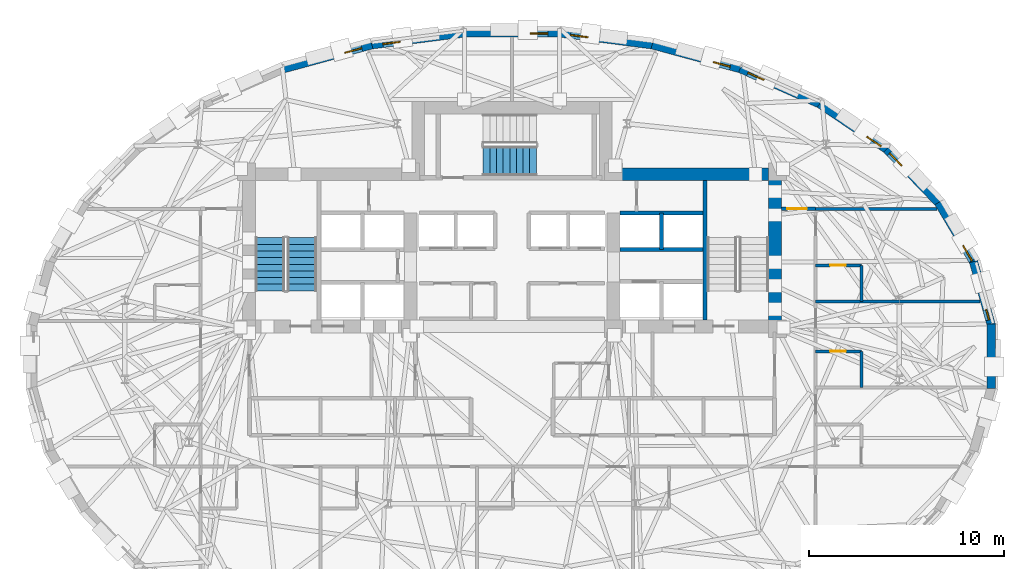
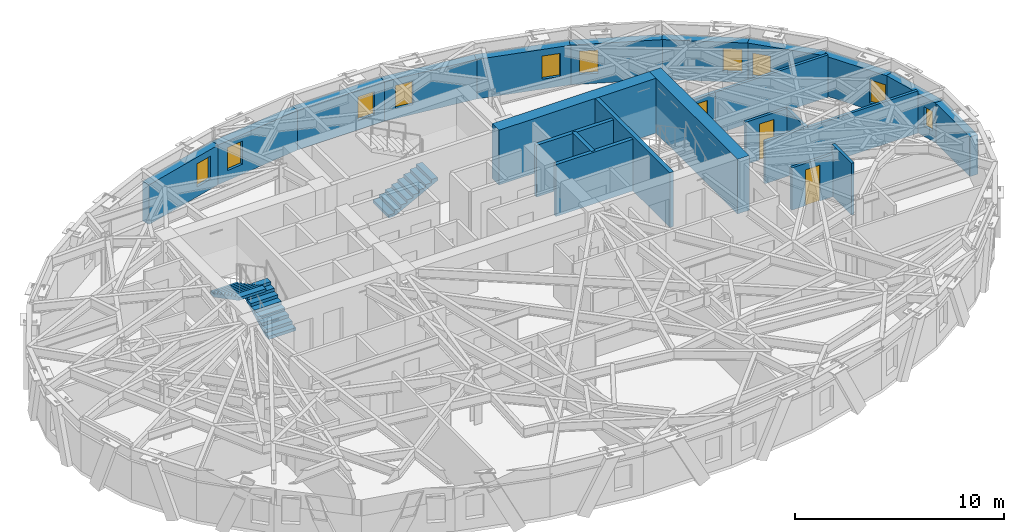
# One storey, part 10 of 15: 24 walls, 10 windows, 3 doors, 3 stair flights, 13 openings, 2 elements without a shape of their own.
"""IFC4 building model written with IfcOpenShell, lengths in metres."""

from ifc_helpers import new_model, si_unit, direction, frame, frame_2d, origin, place, context, subcontext, project, spatial, polyline, rectangle, outline, extrude, material, layer, layer_set, type_object, element, fill, aggregate, save


model = new_model("IFC4")

# Units and contexts
model_context = context("Model", 3, precision=1e-05, world=origin(), true_north=direction((0.0, 1.0)))
body_context = subcontext(model_context, "Body", "Model", "MODEL_VIEW")
ifc_project = project(units=[si_unit("LENGTHUNIT", "METRE"), si_unit("AREAUNIT", "SQUARE_METRE"), si_unit("VOLUMEUNIT", "CUBIC_METRE"), si_unit("PLANEANGLEUNIT", "RADIAN"), si_unit("MASSUNIT", "GRAM", prefix="KILO")], contexts=[model_context])

# Site, building, storey
site_placement = place(None, origin())
site = spatial("IfcSite", under=ifc_project, at=site_placement, CompositionType="ELEMENT")
building_placement = place(site_placement, origin())
building = spatial("IfcBuilding", under=site, at=building_placement, Name="Keldmark Tower", CompositionType="ELEMENT")
storey_placement = place(building_placement, frame((0.0, 0.0, 159.800048828125)))
storey = spatial("IfcBuildingStorey", under=building, at=storey_placement, Name="L43", CompositionType="ELEMENT", Elevation=159.800048828125)

# Wall, opening, door
ifc_material_1 = material(Name="Type X Fire-Rated Gypsum Partition Assembly", Category="gypsum")
ifc_layer_1 = layer(ifc_material_1, 0.1650390625)
ifc_layer_set_1 = layer_set([ifc_layer_1], Name="Type X Fire-Rated Gypsum Partition Assembly")
wall_type_1 = type_object("IfcWallType", Name="Rated Partition 165 mm", PredefinedType="PARTITIONING", material=ifc_layer_set_1)
wall_1_placement = place(storey_placement, frame((13.800048828125, 7.550048828125, 0.0), z_axis=(0.0, 0.0, 1.0), x_axis=(1.0, 0.0, 0.0)))
wall_1 = element("IfcWall", 1, at=wall_1_placement, inside=storey, type_object=wall_type_1, Name="L43 Rated Partition 165 mm HCOR-EN", PredefinedType="PARTITIONING", context=body_context, shape_type="SweptSolid", body=[
    extrude(rectangle(XDim=1.75, YDim=0.1650390625, at=frame_2d((0.875, 0.0))), origin(), (0.0, 0.0, 1.0), 2.472900390625),
])
opening_1_placement = place(wall_1_placement, frame((0.300048828125, 0.0, 0.0)))
opening_1 = element("IfcOpeningElement", 2, at=opening_1_placement, cuts=wall_1, Name="Opening D-FD100", PredefinedType="OPENING", context=body_context, shape_type="SweptSolid", body=[
    extrude(rectangle(XDim=1.0, YDim=2.14990234375, at=frame_2d((0.5, 1.074951171875))), frame((0.0, 0.092529296875, 0.0), z_axis=(0.0, -1.0, 0.0), x_axis=(1.0, 0.0, 0.0)), (0.0, 0.0, 1.0), 0.18505859375),
])
ifc_material_2 = material(Name="Hollow Metal Fire-Rated Corridor Door", Category="metal")
door_type_1 = type_object("IfcDoorType", Name="Fire Door 1000x2150", OperationType="NOTDEFINED", PredefinedType="DOOR", material=ifc_material_2)
door_1_placement = place(opening_1_placement, origin())
door_1 = element("IfcDoor", 3, at=door_1_placement, inside=storey, type_object=door_type_1, Name="L43 Fire Door 1000x2150 D-HNNE-L43", OperationType="SINGLE_SWING_RIGHT", OverallHeight=2.14990234375, OverallWidth=1.0, PredefinedType="DOOR", context=body_context, shape_type="SweptSolid", body=[
    extrude(rectangle(XDim=1.0, YDim=2.14990234375, at=frame_2d((0.5, 1.074951171875))), frame((0.0, 0.02490234375, 0.0), z_axis=(0.0, -1.0, 0.0), x_axis=(1.0, 0.0, 0.0)), (0.0, 0.0, 1.0), 0.050048828125),
])
fill(opening_1, door_1)

# Walls
ifc_material_3 = material(Name="Fire-Resistant Type X Gypsum Shaftliner Coreboard", Category="gypsum")
ifc_layer_2 = layer(ifc_material_3, 0.199951171875)
ifc_layer_set_2 = layer_set([ifc_layer_2], Name="Fire-Resistant Type X Gypsum Shaftliner Coreboard")
wall_type_2 = type_object("IfcWallType", Name="Shaft Wall 200 mm", PredefinedType="SOLIDWALL", material=ifc_layer_set_2)
for number, where, z_axis, x_axis, name in (
    (4, (5.52490234375, 5.469970703125, 0.0), (0.0, 0.0, 1.0), (1.0, 0.0, 0.0), "L43 Shaft Wall 200 mm HW-E-N"),
    (5, (5.52490234375, 7.330078125, 0.0), (0.0, 0.0, 1.0), (1.0, 0.0, 0.0), "L43 Shaft Wall 200 mm HW-E-TOP"),
):
    element("IfcWall", number, at=place(storey_placement, frame(where, z_axis=z_axis, x_axis=x_axis)), inside=storey, type_object=wall_type_2, Name=name, PredefinedType="SOLIDWALL", context=body_context, shape_type="SweptSolid", body=[
        extrude(rectangle(XDim=4.255126953125, YDim=0.199951171875, at=frame_2d((2.12744140625, 0.0))), origin(), (0.0, 0.0, 1.0), 3.02001953125),
    ])
wall_2_placement = place(storey_placement, frame((7.64990234375, 5.469970703125, 0.0), z_axis=(0.0, 0.0, 1.0), x_axis=(0.0, 1.0, 0.0)))
element("IfcWall", 6, at=wall_2_placement, inside=storey, type_object=wall_type_2, Name="L43 Shaft Wall 200 mm HW-E-NM", PredefinedType="SOLIDWALL", context=body_context, shape_type="SweptSolid", body=[
    extrude(rectangle(XDim=1.860107421875, YDim=0.199951171875, at=frame_2d((0.93017578125, 0.0))), origin(), (0.0, 0.0, 1.0), 3.02001953125),
])
ifc_material_4 = material(Name="Concrete C50/60", Category="concrete")
ifc_layer_3 = layer(ifc_material_4, 0.219970703125)
ifc_layer_set_3 = layer_set([ifc_layer_3], Name="Concrete C50/60")
wall_type_3 = type_object("IfcWallType", Name="Stair Core Shear Wall 220 mm", PredefinedType="SHEAR", material=ifc_layer_set_3)
wall_3_placement = place(storey_placement, frame((9.889892578125, 1.85009765625, 0.0), z_axis=(0.0, 0.0, 1.0), x_axis=(0.0, 1.0, 0.0)))
element("IfcWall", 7, at=wall_3_placement, inside=storey, type_object=wall_type_3, Name="L43 East Stair Core Shear Wall", PredefinedType="SHEAR", context=body_context, shape_type="SweptSolid", body=[
    extrude(rectangle(XDim=7.14990234375, YDim=0.219970703125, at=frame_2d((3.574951171875, 0.0))), origin(), (0.0, 0.0, 1.0), 3.199951171875),
])

# Wall, opening, window
ifc_material_5 = material(Name="Ironspot Manganese Brick and Kasota Buff Limestone Spandrel Assembly", Category="masonry")
ifc_layer_4 = layer(ifc_material_5, 0.43994140625)
ifc_layer_set_4 = layer_set([ifc_layer_4], Name="Ironspot Manganese Brick and Kasota Buff Limestone Spandrel Assembly")
wall_type_4 = type_object("IfcWallType", Name="Tower Brick Pier and Spandrel Wall 440 mm", PredefinedType="STANDARD", material=ifc_layer_set_4)
wall_4_placement = place(storey_placement, frame((23.64501953125, 4.846435546875, 0.0), z_axis=(0.0, 0.0, 1.0), x_axis=(0.269235699479, -0.963074315993, 0.0)))
wall_4 = element("IfcWall", 8, at=wall_4_placement, inside=storey, type_object=wall_type_4, Name="L43 Exterior Brick and Spandrel Wall 01", PredefinedType="STANDARD", context=body_context, shape_type="SweptSolid", body=[
    extrude(rectangle(XDim=3.376953125, YDim=0.43994140625, at=frame_2d((1.6884765625, 0.0))), origin(), (0.0, 0.0, 1.0), 2.31494140625),
])
opening_2_placement = place(wall_4_placement, frame((2.527587890625, 0.0, 0.580078125)))
opening_2 = element("IfcOpeningElement", 9, at=opening_2_placement, cuts=wall_4, Name="Opening W-10", PredefinedType="OPENING", context=body_context, shape_type="SweptSolid", body=[
    extrude(rectangle(XDim=0.56005859375, YDim=1.14990234375, at=frame_2d((0.280029296875, 0.574951171875))), frame((0.0, 0.22998046875, 0.0), z_axis=(0.0, -1.0, 0.0), x_axis=(1.0, 0.0, 0.0)), (0.0, 0.0, 1.0), 0.4599609375),
])
ifc_material_6 = material(Name="Thermally Broken Anodized Aluminum and Triple Low-E Argon Glazing", Category="aluminium")
window_type_1 = type_object("IfcWindowType", Name="Narrow Pier Lancet Window 560x1150", PartitioningType="SINGLE_PANEL", PredefinedType="WINDOW", material=ifc_material_6)
window_1_placement = place(opening_2_placement, origin())
window_1 = element("IfcWindow", 10, at=window_1_placement, inside=storey, type_object=window_type_1, Name="L43 Pier Window RM04", OverallHeight=1.14990234375, OverallWidth=0.56005859375, PartitioningType="SINGLE_PANEL", PredefinedType="WINDOW", context=body_context, shape_type="SweptSolid", body=[
    extrude(rectangle(XDim=0.56005859375, YDim=1.14990234375, at=frame_2d((0.280029296875, 0.574951171875))), frame((0.0, -0.010009765625, 0.0), z_axis=(0.0, -1.0, 0.0), x_axis=(1.0, 0.0, 0.0)), (0.0, 0.0, 1.0), 0.06005859375),
])
fill(opening_2, window_1)

wall_5_placement = place(storey_placement, frame((21.847412109375, 7.87255859375, 0.0), z_axis=(0.0, 0.0, 1.0), x_axis=(0.508883387051, -0.860835465338, 0.0)))
wall_5 = element("IfcWall", 11, at=wall_5_placement, inside=storey, type_object=wall_type_4, Name="L43 Exterior Brick and Spandrel Wall 02", PredefinedType="STANDARD", context=body_context, shape_type="SweptSolid", body=[
    extrude(rectangle(XDim=3.57666015625, YDim=0.43994140625, at=frame_2d((1.788330078125, 0.0))), origin(), (0.0, 0.0, 1.0), 2.31494140625),
])
opening_3_placement = place(wall_5_placement, frame((2.53662109375, 0.0, 0.419921875)))
opening_3 = element("IfcOpeningElement", 12, at=opening_3_placement, cuts=wall_5, Name="Opening W-09", PredefinedType="OPENING", context=body_context, shape_type="SweptSolid", body=[
    extrude(rectangle(XDim=0.89990234375, YDim=1.35009765625, at=frame_2d((0.449951171875, 0.675048828125))), frame((0.0, 0.22998046875, 0.0), z_axis=(0.0, -1.0, 0.0), x_axis=(1.0, 0.0, 0.0)), (0.0, 0.0, 1.0), 0.4599609375),
])
ifc_material_7 = material(Name="Thermally Broken Anodized Aluminum and Triple Low-E Argon Glazing", Category="aluminium")
window_type_2 = type_object("IfcWindowType", Name="Corner Pier Deep-Set Window 900x1350", PartitioningType="SINGLE_PANEL", PredefinedType="WINDOW", material=ifc_material_7)
window_2_placement = place(opening_3_placement, origin())
window_2 = element("IfcWindow", 13, at=window_2_placement, inside=storey, type_object=window_type_2, Name="L43 Pier Window RM05", OverallHeight=1.35009765625, OverallWidth=0.89990234375, PartitioningType="SINGLE_PANEL", PredefinedType="WINDOW", context=body_context, shape_type="SweptSolid", body=[
    extrude(rectangle(XDim=0.89990234375, YDim=1.35009765625, at=frame_2d((0.449951171875, 0.675048828125))), frame((0.0, -0.010009765625, 0.0), z_axis=(0.0, -1.0, 0.0), x_axis=(1.0, 0.0, 0.0)), (0.0, 0.0, 1.0), 0.06005859375),
])
fill(opening_3, window_2)

wall_6_placement = place(storey_placement, frame((19.191650390625, 10.61181640625, 0.0), z_axis=(0.0, 0.0, 1.0), x_axis=(0.694975307772, -0.719033602544, 0.0)))
wall_6 = element("IfcWall", 14, at=wall_6_placement, inside=storey, type_object=wall_type_4, Name="L43 Exterior Brick and Spandrel Wall 03", PredefinedType="STANDARD", context=body_context, shape_type="SweptSolid", body=[
    extrude(rectangle(XDim=3.866455078125, YDim=0.43994140625, at=frame_2d((1.93310546875, 0.0))), origin(), (0.0, 0.0, 1.0), 2.31494140625),
])
opening_4_placement = place(wall_6_placement, frame((0.24951171875, 0.0, 0.419921875)))
opening_4 = element("IfcOpeningElement", 15, at=opening_4_placement, cuts=wall_6, Name="Opening W-09", PredefinedType="OPENING", context=body_context, shape_type="SweptSolid", body=[
    extrude(rectangle(XDim=0.89990234375, YDim=1.35009765625, at=frame_2d((0.449951171875, 0.675048828125))), frame((0.0, 0.22998046875, 0.0), z_axis=(0.0, -1.0, 0.0), x_axis=(1.0, 0.0, 0.0)), (0.0, 0.0, 1.0), 0.4599609375),
])
window_3_placement = place(opening_4_placement, origin())
window_3 = element("IfcWindow", 16, at=window_3_placement, inside=storey, type_object=window_type_2, Name="L43 Deep-Set Window 03", OverallHeight=1.35009765625, OverallWidth=0.89990234375, PartitioningType="SINGLE_PANEL", PredefinedType="WINDOW", context=body_context, shape_type="SweptSolid", body=[
    extrude(rectangle(XDim=0.89990234375, YDim=1.35009765625, at=frame_2d((0.449951171875, 0.675048828125))), frame((0.0, -0.010009765625, 0.0), z_axis=(0.0, -1.0, 0.0), x_axis=(1.0, 0.0, 0.0)), (0.0, 0.0, 1.0), 0.06005859375),
])
fill(opening_4, window_3)

wall_7_placement = place(storey_placement, frame((15.756591796875, 12.9345703125, 0.0), z_axis=(0.0, 0.0, 1.0), x_axis=(0.827760762475, -0.561081206338, 0.0)))
wall_7 = element("IfcWall", 17, at=wall_7_placement, inside=storey, type_object=wall_type_4, Name="L43 Exterior Brick and Spandrel Wall 04", PredefinedType="STANDARD", context=body_context, shape_type="SweptSolid", body=[
    extrude(rectangle(XDim=4.19189453125, YDim=0.43994140625, at=frame_2d((2.095947265625, 0.0))), origin(), (0.0, 0.0, 1.0), 2.31494140625),
])
opening_5_placement = place(wall_7_placement, frame((2.9423828125, 0.0, 0.580078125)))
opening_5 = element("IfcOpeningElement", 18, at=opening_5_placement, cuts=wall_7, Name="Opening W-09", PredefinedType="OPENING", context=body_context, shape_type="SweptSolid", body=[
    extrude(rectangle(XDim=0.89990234375, YDim=1.35009765625, at=frame_2d((0.449951171875, 0.675048828125))), frame((0.0, 0.22998046875, 0.0), z_axis=(0.0, -1.0, 0.0), x_axis=(1.0, 0.0, 0.0)), (0.0, 0.0, 1.0), 0.4599609375),
])
window_4_placement = place(opening_5_placement, origin())
window_4 = element("IfcWindow", 19, at=window_4_placement, inside=storey, type_object=window_type_2, Name="L43 Deep-Set Window 04", OverallHeight=1.35009765625, OverallWidth=0.89990234375, PartitioningType="SINGLE_PANEL", PredefinedType="WINDOW", context=body_context, shape_type="SweptSolid", body=[
    extrude(rectangle(XDim=0.89990234375, YDim=1.35009765625, at=frame_2d((0.449951171875, 0.675048828125))), frame((0.0, -0.010009765625, 0.0), z_axis=(0.0, -1.0, 0.0), x_axis=(1.0, 0.0, 0.0)), (0.0, 0.0, 1.0), 0.06005859375),
])
fill(opening_5, window_4)

wall_8_placement = place(storey_placement, frame((11.689697265625, 14.737060546875, 0.0), z_axis=(0.0, 0.0, 1.0), x_axis=(0.913907994914, -0.405921392431, 0.0)))
wall_8 = element("IfcWall", 20, at=wall_8_placement, inside=storey, type_object=wall_type_4, Name="L43 Exterior Brick and Spandrel Wall 05", PredefinedType="STANDARD", context=body_context, shape_type="SweptSolid", body=[
    extrude(rectangle(XDim=4.4873046875, YDim=0.43994140625, at=frame_2d((2.24365234375, 0.0))), origin(), (0.0, 0.0, 1.0), 2.31494140625),
])
opening_6_placement = place(wall_8_placement, frame((0.448974609375, 0.0, 0.580078125)))
opening_6 = element("IfcOpeningElement", 21, at=opening_6_placement, cuts=wall_8, Name="Opening W-09", PredefinedType="OPENING", context=body_context, shape_type="SweptSolid", body=[
    extrude(rectangle(XDim=0.89990234375, YDim=1.35009765625, at=frame_2d((0.449951171875, 0.675048828125))), frame((0.0, 0.22998046875, 0.0), z_axis=(0.0, -1.0, 0.0), x_axis=(1.0, 0.0, 0.0)), (0.0, 0.0, 1.0), 0.4599609375),
])
window_5_placement = place(opening_6_placement, origin())
window_5 = element("IfcWindow", 22, at=window_5_placement, inside=storey, type_object=window_type_2, Name="L43 Deep-Set Window 05", OverallHeight=1.35009765625, OverallWidth=0.89990234375, PartitioningType="SINGLE_PANEL", PredefinedType="WINDOW", context=body_context, shape_type="SweptSolid", body=[
    extrude(rectangle(XDim=0.89990234375, YDim=1.35009765625, at=frame_2d((0.449951171875, 0.675048828125))), frame((0.0, -0.010009765625, 0.0), z_axis=(0.0, -1.0, 0.0), x_axis=(1.0, 0.0, 0.0)), (0.0, 0.0, 1.0), 0.06005859375),
])
fill(opening_6, window_5)

wall_9_placement = place(storey_placement, frame((7.17919921875, 15.95947265625, 0.0), z_axis=(0.0, 0.0, 1.0), x_axis=(0.965037424263, -0.262112132058, 0.0)))
wall_9 = element("IfcWall", 23, at=wall_9_placement, inside=storey, type_object=wall_type_4, Name="L43 Exterior Brick and Spandrel Wall 06", PredefinedType="STANDARD", context=body_context, shape_type="SweptSolid", body=[
    extrude(rectangle(XDim=4.70654296875, YDim=0.43994140625, at=frame_2d((2.353271484375, 0.0))), origin(), (0.0, 0.0, 1.0), 2.31494140625),
])
opening_7_placement = place(wall_9_placement, frame((3.260986328125, 0.0, 0.580078125)))
opening_7 = element("IfcOpeningElement", 24, at=opening_7_placement, cuts=wall_9, Name="Opening W-09", PredefinedType="OPENING", context=body_context, shape_type="SweptSolid", body=[
    extrude(rectangle(XDim=0.89990234375, YDim=1.35009765625, at=frame_2d((0.449951171875, 0.675048828125))), frame((0.0, 0.22998046875, 0.0), z_axis=(0.0, -1.0, 0.0), x_axis=(1.0, 0.0, 0.0)), (0.0, 0.0, 1.0), 0.4599609375),
])
window_6_placement = place(opening_7_placement, origin())
window_6 = element("IfcWindow", 25, at=window_6_placement, inside=storey, type_object=window_type_2, Name="L43 Deep-Set Window 06", OverallHeight=1.35009765625, OverallWidth=0.89990234375, PartitioningType="SINGLE_PANEL", PredefinedType="WINDOW", context=body_context, shape_type="SweptSolid", body=[
    extrude(rectangle(XDim=0.89990234375, YDim=1.35009765625, at=frame_2d((0.449951171875, 0.675048828125))), frame((0.0, -0.010009765625, 0.0), z_axis=(0.0, -1.0, 0.0), x_axis=(1.0, 0.0, 0.0)), (0.0, 0.0, 1.0), 0.06005859375),
])
fill(opening_7, window_6)

wall_10_placement = place(storey_placement, frame((2.4111328125, 16.56982421875, 0.0), z_axis=(0.0, 0.0, 1.0), x_axis=(0.991852910824, -0.127388395426, 0.0)))
wall_10 = element("IfcWall", 26, at=wall_10_placement, inside=storey, type_object=wall_type_4, Name="L43 Exterior Brick and Spandrel Wall 07", PredefinedType="STANDARD", context=body_context, shape_type="SweptSolid", body=[
    extrude(rectangle(XDim=4.837158203125, YDim=0.43994140625, at=frame_2d((2.41845703125, 0.0))), origin(), (0.0, 0.0, 1.0), 2.31494140625),
])
opening_8_placement = place(wall_10_placement, frame((0.598388671875, 0.0, 0.580078125)))
opening_8 = element("IfcOpeningElement", 27, at=opening_8_placement, cuts=wall_10, Name="Opening W-09", PredefinedType="OPENING", context=body_context, shape_type="SweptSolid", body=[
    extrude(rectangle(XDim=0.89990234375, YDim=1.35009765625, at=frame_2d((0.449951171875, 0.675048828125))), frame((0.0, 0.22998046875, 0.0), z_axis=(0.0, -1.0, 0.0), x_axis=(1.0, 0.0, 0.0)), (0.0, 0.0, 1.0), 0.4599609375),
])
window_7_placement = place(opening_8_placement, origin())
window_7 = element("IfcWindow", 28, at=window_7_placement, inside=storey, type_object=window_type_2, Name="L43 Deep-Set Window 07", OverallHeight=1.35009765625, OverallWidth=0.89990234375, PartitioningType="SINGLE_PANEL", PredefinedType="WINDOW", context=body_context, shape_type="SweptSolid", body=[
    extrude(rectangle(XDim=0.89990234375, YDim=1.35009765625, at=frame_2d((0.449951171875, 0.675048828125))), frame((0.0, -0.010009765625, 0.0), z_axis=(0.0, -1.0, 0.0), x_axis=(1.0, 0.0, 0.0)), (0.0, 0.0, 1.0), 0.06005859375),
])
fill(opening_8, window_7)

wall_11_placement = place(storey_placement, frame((-2.439208984375, 16.568115234375, 0.0), z_axis=(0.0, 0.0, 1.0), x_axis=(1.0, 0.0, 0.0)))
wall_11 = element("IfcWall", 29, at=wall_11_placement, inside=storey, type_object=wall_type_4, Name="L43 Exterior Brick and Spandrel Wall 08", PredefinedType="STANDARD", context=body_context, shape_type="SweptSolid", body=[
    extrude(rectangle(XDim=4.87841796875, YDim=0.43994140625, at=frame_2d((2.439208984375, 0.0))), origin(), (0.0, 0.0, 1.0), 2.31494140625),
])
opening_9_placement = place(wall_11_placement, frame((3.380859375, 0.0, 0.580078125)))
opening_9 = element("IfcOpeningElement", 30, at=opening_9_placement, cuts=wall_11, Name="Opening W-09", PredefinedType="OPENING", context=body_context, shape_type="SweptSolid", body=[
    extrude(rectangle(XDim=0.89990234375, YDim=1.35009765625, at=frame_2d((0.449951171875, 0.675048828125))), frame((0.0, 0.22998046875, 0.0), z_axis=(0.0, -1.0, 0.0), x_axis=(1.0, 0.0, 0.0)), (0.0, 0.0, 1.0), 0.4599609375),
])
window_8_placement = place(opening_9_placement, origin())
window_8 = element("IfcWindow", 31, at=window_8_placement, inside=storey, type_object=window_type_2, Name="L43 Deep-Set Window 08", OverallHeight=1.35009765625, OverallWidth=0.89990234375, PartitioningType="SINGLE_PANEL", PredefinedType="WINDOW", context=body_context, shape_type="SweptSolid", body=[
    extrude(rectangle(XDim=0.89990234375, YDim=1.35009765625, at=frame_2d((0.449951171875, 0.675048828125))), frame((0.0, -0.010009765625, 0.0), z_axis=(0.0, -1.0, 0.0), x_axis=(1.0, 0.0, 0.0)), (0.0, 0.0, 1.0), 0.06005859375),
])
fill(opening_9, window_8)

wall_12_placement = place(storey_placement, frame((-7.208984375, 15.95361328125, 0.0), z_axis=(0.0, 0.0, 1.0), x_axis=(0.991852910824, 0.127388395426, 0.0)))
wall_12 = element("IfcWall", 32, at=wall_12_placement, inside=storey, type_object=wall_type_4, Name="L43 Exterior Brick and Spandrel Wall 09", PredefinedType="STANDARD", context=body_context, shape_type="SweptSolid", body=[
    extrude(rectangle(XDim=4.837158203125, YDim=0.43994140625, at=frame_2d((2.41845703125, 0.0))), origin(), (0.0, 0.0, 1.0), 2.31494140625),
])
opening_10_placement = place(wall_12_placement, frame((0.598388671875, 0.0, 0.580078125)))
opening_10 = element("IfcOpeningElement", 33, at=opening_10_placement, cuts=wall_12, Name="Opening W-09", PredefinedType="OPENING", context=body_context, shape_type="SweptSolid", body=[
    extrude(rectangle(XDim=0.89990234375, YDim=1.35009765625, at=frame_2d((0.449951171875, 0.675048828125))), frame((0.0, 0.22998046875, 0.0), z_axis=(0.0, -1.0, 0.0), x_axis=(1.0, 0.0, 0.0)), (0.0, 0.0, 1.0), 0.4599609375),
])
window_9_placement = place(opening_10_placement, origin())
window_9 = element("IfcWindow", 34, at=window_9_placement, inside=storey, type_object=window_type_2, Name="L43 Deep-Set Window 09", OverallHeight=1.35009765625, OverallWidth=0.89990234375, PartitioningType="SINGLE_PANEL", PredefinedType="WINDOW", context=body_context, shape_type="SweptSolid", body=[
    extrude(rectangle(XDim=0.89990234375, YDim=1.35009765625, at=frame_2d((0.449951171875, 0.675048828125))), frame((0.0, -0.010009765625, 0.0), z_axis=(0.0, -1.0, 0.0), x_axis=(1.0, 0.0, 0.0)), (0.0, 0.0, 1.0), 0.06005859375),
])
fill(opening_10, window_9)

wall_13_placement = place(storey_placement, frame((-11.72119140625, 14.725830078125, 0.0), z_axis=(0.0, 0.0, 1.0), x_axis=(0.965037424263, 0.262112132058, 0.0)))
wall_13 = element("IfcWall", 35, at=wall_13_placement, inside=storey, type_object=wall_type_4, Name="L43 Exterior Brick and Spandrel Wall 10", PredefinedType="STANDARD", context=body_context, shape_type="SweptSolid", body=[
    extrude(rectangle(XDim=4.70654296875, YDim=0.43994140625, at=frame_2d((2.353271484375, 0.0))), origin(), (0.0, 0.0, 1.0), 2.31494140625),
])
opening_11_placement = place(wall_13_placement, frame((3.260986328125, 0.0, 0.580078125)))
opening_11 = element("IfcOpeningElement", 36, at=opening_11_placement, cuts=wall_13, Name="Opening W-09", PredefinedType="OPENING", context=body_context, shape_type="SweptSolid", body=[
    extrude(rectangle(XDim=0.89990234375, YDim=1.35009765625, at=frame_2d((0.449951171875, 0.675048828125))), frame((0.0, 0.22998046875, 0.0), z_axis=(0.0, -1.0, 0.0), x_axis=(1.0, 0.0, 0.0)), (0.0, 0.0, 1.0), 0.4599609375),
])
window_10_placement = place(opening_11_placement, origin())
window_10 = element("IfcWindow", 37, at=window_10_placement, inside=storey, type_object=window_type_2, Name="L43 Deep-Set Window 10", OverallHeight=1.35009765625, OverallWidth=0.89990234375, PartitioningType="SINGLE_PANEL", PredefinedType="WINDOW", context=body_context, shape_type="SweptSolid", body=[
    extrude(rectangle(XDim=0.89990234375, YDim=1.35009765625, at=frame_2d((0.449951171875, 0.675048828125))), frame((0.0, -0.010009765625, 0.0), z_axis=(0.0, -1.0, 0.0), x_axis=(1.0, 0.0, 0.0)), (0.0, 0.0, 1.0), 0.06005859375),
])
fill(opening_11, window_10)

# Walls
wall_14_placement = place(storey_placement, frame((24.5458984375, 1.653564453125, 0.0), z_axis=(0.0, 0.0, 1.0), x_axis=(0.0, -1.0, 0.0)))
element("IfcWall", 38, at=wall_14_placement, inside=storey, type_object=wall_type_4, Name="L43 Exterior Brick and Spandrel Wall 32", PredefinedType="STANDARD", context=body_context, shape_type="SweptSolid", body=[
    extrude(rectangle(XDim=3.30712890625, YDim=0.43994140625, at=frame_2d((1.653564453125, 0.0))), origin(), (0.0, 0.0, 1.0), 2.31494140625),
])
ifc_material_8 = material(Name="Concrete C50/60", Category="concrete")
ifc_layer_5 = layer(ifc_material_8, 0.64990234375)
ifc_layer_set_5 = layer_set([ifc_layer_5], Name="Concrete C50/60")
wall_type_5 = type_object("IfcWallType", Name="Upper-Mid Core Shear Wall 650 mm", PredefinedType="SHEAR", material=ifc_layer_set_5)
wall_15_placement = place(storey_placement, frame((13.47509765625, 1.199951171875, 0.0), z_axis=(0.0, 0.0, 1.0), x_axis=(0.0, 1.0, 0.0)))
element("IfcWall", 39, at=wall_15_placement, inside=storey, type_object=wall_type_5, Name="L43 East Core Outer Shear Wall", PredefinedType="SHEAR", context=body_context, shape_type="SweptSolid", body=[
    extrude(rectangle(XDim=8.449951171875, YDim=0.64990234375, at=frame_2d((4.22509765625, 0.0))), origin(), (0.0, 0.0, 1.0), 3.199951171875),
])
wall_16_placement = place(storey_placement, frame((4.47509765625, 9.324951171875, 0.0), z_axis=(0.0, 0.0, 1.0), x_axis=(1.0, 0.0, 0.0)))
element("IfcWall", 40, at=wall_16_placement, inside=storey, type_object=wall_type_5, Name="L43 East Core North Shear Wall", PredefinedType="SHEAR", context=body_context, shape_type="SweptSolid", body=[
    extrude(rectangle(XDim=9.324951171875, YDim=0.64990234375, at=frame_2d((4.66259765625, 0.0))), origin(), (0.0, 0.0, 1.0), 3.199951171875),
])
ifc_material_9 = material(Name="Moisture-Resistant Gypsum Plumbing Partition", Category="gypsum")
ifc_layer_6 = layer(ifc_material_9, 0.14990234375)
ifc_layer_set_6 = layer_set([ifc_layer_6], Name="Moisture-Resistant Gypsum Plumbing Partition")
wall_type_6 = type_object("IfcWallType", Name="Wet Wall 150 mm", PredefinedType="PLUMBINGWALL", material=ifc_layer_set_6)
wall_17_placement = place(storey_placement, frame((15.550048828125, 7.550048828125, 0.0), z_axis=(0.0, 0.0, 1.0), x_axis=(1.0, 0.0, 0.0)))
element("IfcWall", 41, at=wall_17_placement, inside=storey, type_object=wall_type_6, Name="L43 Wet Wall 150 mm HE-CAP-N", PredefinedType="PLUMBINGWALL", context=body_context, shape_type="SweptSolid", body=[
    extrude(rectangle(XDim=6.22314453125, YDim=0.14990234375, at=frame_2d((3.111572265625, 0.0))), origin(), (0.0, 0.0, 1.0), 2.472900390625),
])
wall_18_placement = place(storey_placement, frame((15.550048828125, 2.800048828125, 0.0), z_axis=(0.0, 0.0, 1.0), x_axis=(1.0, 0.0, 0.0)))
element("IfcWall", 42, at=wall_18_placement, inside=storey, type_object=wall_type_6, Name="L43 Wet Wall 150 mm HE-DIV-2", PredefinedType="PLUMBINGWALL", context=body_context, shape_type="SweptSolid", body=[
    extrude(rectangle(XDim=8.43017578125, YDim=0.14990234375, at=frame_2d((4.215087890625, 0.0))), origin(), (0.0, 0.0, 1.0), 2.472900390625),
])

# Wall, opening, door
wall_19_placement = place(storey_placement, frame((15.550048828125, 0.25, 0.0), z_axis=(0.0, 0.0, 1.0), x_axis=(1.0, 0.0, 0.0)))
wall_19 = element("IfcWall", 43, at=wall_19_placement, inside=storey, type_object=wall_type_6, Name="L43 Wet Wall 150 mm HB-8-N", PredefinedType="PLUMBINGWALL", context=body_context, shape_type="SweptSolid", body=[
    extrude(rectangle(XDim=2.349853515625, YDim=0.14990234375, at=frame_2d((1.1748046875, 0.0))), origin(), (0.0, 0.0, 1.0), 2.472900390625),
])
opening_12_placement = place(wall_19_placement, frame((0.75, 0.0, 0.0)))
opening_12 = element("IfcOpeningElement", 44, at=opening_12_placement, cuts=wall_19, Name="Opening D-BT080", PredefinedType="OPENING", context=body_context, shape_type="SweptSolid", body=[
    extrude(rectangle(XDim=0.800048828125, YDim=2.10009765625, at=frame_2d((0.39990234375, 1.050048828125))), frame((0.0, 0.0849609375, 0.0), z_axis=(0.0, -1.0, 0.0), x_axis=(1.0, 0.0, 0.0)), (0.0, 0.0, 1.0), 0.169921875),
])
ifc_material_10 = material(Name="Moisture-Sealed Stained Wood", Category="wood")
door_type_2 = type_object("IfcDoorType", Name="Bathroom Door 800x2100", OperationType="NOTDEFINED", PredefinedType="DOOR", material=ifc_material_10)
door_2_placement = place(opening_12_placement, origin())
door_2 = element("IfcDoor", 45, at=door_2_placement, inside=storey, type_object=door_type_2, Name="L43 Bathroom Door 800x2100 D-HB-8-L43", OperationType="SINGLE_SWING_LEFT", OverallHeight=2.10009765625, OverallWidth=0.800048828125, PredefinedType="DOOR", context=body_context, shape_type="SweptSolid", body=[
    extrude(rectangle(XDim=0.800048828125, YDim=2.10009765625, at=frame_2d((0.39990234375, 1.050048828125))), frame((0.0, 0.02490234375, 0.0), z_axis=(0.0, -1.0, 0.0), x_axis=(1.0, 0.0, 0.0)), (0.0, 0.0, 1.0), 0.050048828125),
])
fill(opening_12, door_2)

# Wall
wall_20_placement = place(storey_placement, frame((17.89990234375, -1.60009765625, 0.0), z_axis=(0.0, 0.0, 1.0), x_axis=(0.0, 1.0, 0.0)))
element("IfcWall", 46, at=wall_20_placement, inside=storey, type_object=wall_type_6, Name="L43 Wet Wall 150 mm HB-8-IN", PredefinedType="PLUMBINGWALL", context=body_context, shape_type="SweptSolid", body=[
    extrude(rectangle(XDim=1.85009765625, YDim=0.14990234375, at=frame_2d((0.925048828125, 0.0))), origin(), (0.0, 0.0, 1.0), 3.02001953125),
])

# Wall, opening, door
wall_21_placement = place(storey_placement, frame((15.550048828125, 4.64990234375, 0.0), z_axis=(0.0, 0.0, 1.0), x_axis=(1.0, 0.0, 0.0)))
wall_21 = element("IfcWall", 47, at=wall_21_placement, inside=storey, type_object=wall_type_6, Name="L43 Wet Wall 150 mm HB-9-N", PredefinedType="PLUMBINGWALL", context=body_context, shape_type="SweptSolid", body=[
    extrude(rectangle(XDim=2.349853515625, YDim=0.14990234375, at=frame_2d((1.1748046875, 0.0))), origin(), (0.0, 0.0, 1.0), 2.472900390625),
])
opening_13_placement = place(wall_21_placement, frame((0.75, 0.0, 0.0)))
opening_13 = element("IfcOpeningElement", 48, at=opening_13_placement, cuts=wall_21, Name="Opening D-BT080", PredefinedType="OPENING", context=body_context, shape_type="SweptSolid", body=[
    extrude(rectangle(XDim=0.800048828125, YDim=2.10009765625, at=frame_2d((0.39990234375, 1.050048828125))), frame((0.0, 0.0849609375, 0.0), z_axis=(0.0, -1.0, 0.0), x_axis=(1.0, 0.0, 0.0)), (0.0, 0.0, 1.0), 0.169921875),
])
door_3_placement = place(opening_13_placement, origin())
door_3 = element("IfcDoor", 49, at=door_3_placement, inside=storey, type_object=door_type_2, Name="L43 Bathroom Door 800x2100 D-HB-9-L43", OperationType="SINGLE_SWING_RIGHT", OverallHeight=2.10009765625, OverallWidth=0.800048828125, PredefinedType="DOOR", context=body_context, shape_type="SweptSolid", body=[
    extrude(rectangle(XDim=0.800048828125, YDim=2.10009765625, at=frame_2d((0.39990234375, 1.050048828125))), frame((0.0, 0.02490234375, 0.0), z_axis=(0.0, -1.0, 0.0), x_axis=(1.0, 0.0, 0.0)), (0.0, 0.0, 1.0), 0.050048828125),
])
fill(opening_13, door_3)

# Wall
wall_22_placement = place(storey_placement, frame((17.89990234375, 2.800048828125, 0.0), z_axis=(0.0, 0.0, 1.0), x_axis=(0.0, 1.0, 0.0)))
element("IfcWall", 50, at=wall_22_placement, inside=storey, type_object=wall_type_6, Name="L43 Wet Wall 150 mm HB-9-IN", PredefinedType="PLUMBINGWALL", context=body_context, shape_type="SweptSolid", body=[
    extrude(rectangle(XDim=1.849853515625, YDim=0.14990234375, at=frame_2d((0.9248046875, 0.0))), origin(), (0.0, 0.0, 1.0), 2.472900390625),
])

# Stair, stair flights
ifc_material_11 = material(Name="Concrete C40/50", Category="concrete")
stair_type = type_object("IfcStairType", Name="Precast Concrete Core Exit Stair", PredefinedType="HALF_TURN_STAIR", material=ifc_material_11)
stair_1_placement = place(storey_placement, origin())
stair_1 = element("IfcStair", 51, at=stair_1_placement, inside=storey, type_object=stair_type, Name="L43 Exit Stair ST1", PredefinedType="HALF_TURN_STAIR")
ifc_material_12 = material(Name="Concrete C40/50", Category="concrete")
stair_flight_type = type_object("IfcStairFlightType", Name="Precast Concrete Stair Flight 1500 mm", PredefinedType="STRAIGHT", material=ifc_material_12)
stair_flight_1_placement = place(storey_placement, frame((-10.75, 3.35009765625, 0.0), z_axis=(0.0, 0.0, 1.0), x_axis=(0.0, 1.0, 0.0)))
stair_flight_1 = element("IfcStairFlight", 52, at=stair_flight_1_placement, type_object=stair_flight_type, Name="ST1 flight 1", NumberOfRisers=9, NumberOfTreads=8, PredefinedType="STRAIGHT", RiserHeight=0.177777778, TreadLength=0.34, context=body_context, shape_type="SweptSolid", body=[
    extrude(outline(polyline([(0.0, 0.0), (0.0, 0.177734375), (0.340087890625, 0.177734375), (0.340087890625, 0.35546875), (0.679931640625, 0.35546875), (0.679931640625, 0.533447265625), (1.02001953125, 0.533447265625), (1.02001953125, 0.711181640625), (1.360107421875, 0.711181640625), (1.360107421875, 0.888916015625), (1.699951171875, 0.888916015625), (1.699951171875, 1.066650390625), (2.0400390625, 1.066650390625), (2.0400390625, 1.244384765625), (2.3798828125, 1.244384765625), (2.3798828125, 1.422119140625), (2.719970703125, 1.422119140625), (2.719970703125, 1.60009765625), (2.719970703125, 1.253173828125), (0.323486328125, 0.0), (0.0, 0.0)])), frame((0.0, 0.75, 0.0), z_axis=(0.0, -1.0, 0.0), x_axis=(1.0, 0.0, 0.0)), (0.0, 0.0, 1.0), 1.5),
])
stair_flight_2_placement = place(storey_placement, frame((-12.39990234375, 6.070068359375, 1.599853515625), z_axis=(0.0, 0.0, 1.0), x_axis=(0.0, -1.0, 0.0)))
stair_flight_2 = element("IfcStairFlight", 53, at=stair_flight_2_placement, type_object=stair_flight_type, Name="ST1 flight 2", NumberOfRisers=9, NumberOfTreads=8, PredefinedType="STRAIGHT", RiserHeight=0.177777778, TreadLength=0.34, context=body_context, shape_type="SweptSolid", body=[
    extrude(outline(polyline([(0.0, 0.0), (0.0, 0.177734375), (0.340087890625, 0.177734375), (0.340087890625, 0.35546875), (0.679931640625, 0.35546875), (0.679931640625, 0.533447265625), (1.02001953125, 0.533447265625), (1.02001953125, 0.711181640625), (1.360107421875, 0.711181640625), (1.360107421875, 0.888916015625), (1.699951171875, 0.888916015625), (1.699951171875, 1.066650390625), (2.0400390625, 1.066650390625), (2.0400390625, 1.244384765625), (2.3798828125, 1.244384765625), (2.3798828125, 1.422119140625), (2.719970703125, 1.422119140625), (2.719970703125, 1.60009765625), (2.719970703125, 1.253173828125), (0.323486328125, 0.0), (0.0, 0.0)])), frame((0.0, 0.75, 0.0), z_axis=(0.0, -1.0, 0.0), x_axis=(1.0, 0.0, 0.0)), (0.0, 0.0, 1.0), 1.5),
])
aggregate(stair_1, [stair_flight_1, stair_flight_2])

# Stair, stair flight
stair_2_placement = place(storey_placement, origin())
stair_2 = element("IfcStair", 54, at=stair_2_placement, inside=storey, type_object=stair_type, Name="L43 Exit Stair ST3", PredefinedType="HALF_TURN_STAIR")
stair_flight_3_placement = place(storey_placement, frame((-1.47509765625, 10.0, 0.0), z_axis=(0.0, 0.0, 1.0), x_axis=(1.0, 0.0, 0.0)))
stair_flight_3 = element("IfcStairFlight", 55, at=stair_flight_3_placement, type_object=stair_flight_type, Name="ST3 flight 1", NumberOfRisers=9, NumberOfTreads=8, PredefinedType="STRAIGHT", RiserHeight=0.177777778, TreadLength=0.34, context=body_context, shape_type="SweptSolid", body=[
    extrude(outline(polyline([(0.0, 0.0), (0.0, 0.177734375), (0.340087890625, 0.177734375), (0.340087890625, 0.35546875), (0.679931640625, 0.35546875), (0.679931640625, 0.533447265625), (1.02001953125, 0.533447265625), (1.02001953125, 0.711181640625), (1.360107421875, 0.711181640625), (1.360107421875, 0.888916015625), (1.699951171875, 0.888916015625), (1.699951171875, 1.066650390625), (2.0400390625, 1.066650390625), (2.0400390625, 1.244384765625), (2.3798828125, 1.244384765625), (2.3798828125, 1.422119140625), (2.719970703125, 1.422119140625), (2.719970703125, 1.60009765625), (2.719970703125, 1.253173828125), (0.323486328125, 0.0), (0.0, 0.0)])), frame((0.0, 0.75, 0.0), z_axis=(0.0, -1.0, 0.0), x_axis=(1.0, 0.0, 0.0)), (0.0, 0.0, 1.0), 1.5),
])
aggregate(stair_2, [stair_flight_3])

save(model, "model.ifc")
